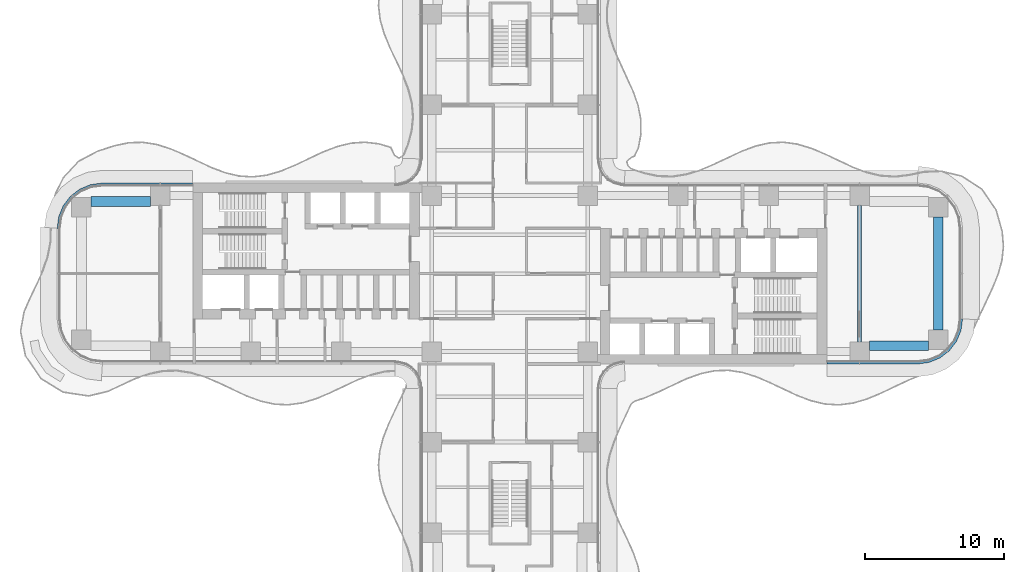
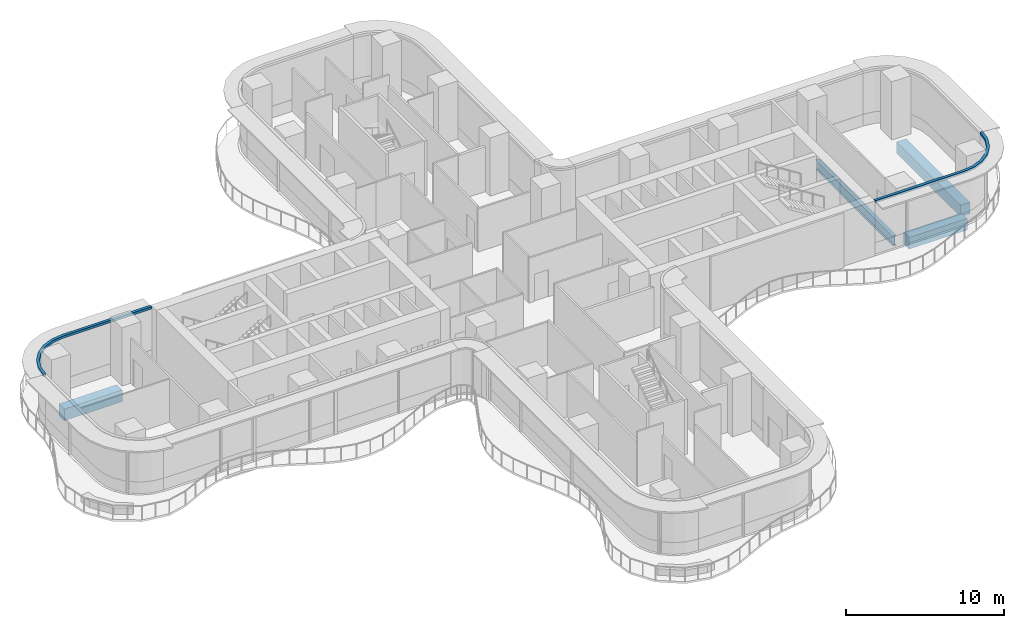
# One storey, part 7 of 23: 4 beams, 2 members, 2 elements without a shape of their own.
"""IFC4 building model written with IfcOpenShell, lengths in metres."""

from ifc_helpers import new_model, si_unit, direction, frame, origin, origin_2d, place, context, subcontext, project, spatial, polyline, rectangle, i_section, outline, extrude, source, transform, mapped, material, layer, layer_set, material_profile, profile_set, type_object, element, aggregate, save


model = new_model("IFC4")

# Units and contexts
model_context = context("Model", 3, precision=1e-05, world=origin(), true_north=direction((0.0, 1.0)))
body_context = subcontext(model_context, "Body", "Model", "MODEL_VIEW")
ifc_project = project(units=[si_unit("LENGTHUNIT", "METRE"), si_unit("AREAUNIT", "SQUARE_METRE"), si_unit("VOLUMEUNIT", "CUBIC_METRE"), si_unit("PLANEANGLEUNIT", "RADIAN"), si_unit("MASSUNIT", "GRAM", prefix="KILO")], contexts=[model_context])

# Site, building, storey
site_placement = place(None, origin())
site = spatial("IfcSite", under=ifc_project, at=site_placement, CompositionType="ELEMENT")
building_placement = place(site_placement, origin())
building = spatial("IfcBuilding", under=site, at=building_placement, Name="Trellis Farm Tower", CompositionType="ELEMENT")
storey_placement = place(building_placement, frame((0.0, 0.0, 74.5)))
storey = spatial("IfcBuildingStorey", under=building, at=storey_placement, Name="L15", CompositionType="ELEMENT", Elevation=74.5)

# Beams
ifc_material_1 = material(Name="Steel S355", Category="steel")
ifc_material_profile_1 = material_profile(ifc_material_1, i_section(OverallWidth=0.2666015625, OverallDepth=0.76220703125, WebThickness=0.014404296875, FlangeThickness=0.021484375, FilletRadius=0.0166015625, at=origin_2d()), Name="UB 762x267x173")
ifc_profile_set_1 = profile_set([ifc_material_profile_1], Name="Steel S355")
beam_type_1 = type_object("IfcBeamType", Name="UB 762x267x173", PredefinedType="BEAM", material=ifc_profile_set_1)
shared_shape_1 = source(origin(), body_context, "Body", "SweptSolid", [
    extrude(i_section(OverallWidth=0.2666015625, OverallDepth=0.76220703125, WebThickness=0.014404296875, FlangeThickness=0.021484375, FilletRadius=0.0166015625, at=origin_2d()), origin(), (0.0, 0.0, 1.0), 9.7998046875),
])
beam_1_placement = place(storey_placement, frame((25.10009765625, -4.89990234375, -0.631103515625), z_axis=(0.0, 1.0, 0.0), x_axis=(-1.0, 0.0, 0.0)))
element("IfcBeam", 1, at=beam_1_placement, inside=storey, type_object=beam_type_1, Name="Girder", PredefinedType="BEAM", context=body_context, shape_type="MappedRepresentation", body=[
    mapped(shared_shape_1, transform((0.0, 0.0, 0.0))),
])
ifc_material_2 = material(Name="Concrete C60/75", Category="concrete")
ifc_material_profile_2 = material_profile(ifc_material_2, rectangle(XDim=0.699951171875, YDim=0.89990234375, at=origin_2d()), Name="RC spandrel beam 700x900 C60/75")
ifc_profile_set_2 = profile_set([ifc_material_profile_2], Name="Concrete C60/75")
beam_type_2 = type_object("IfcBeamType", Name="RC spandrel beam 700x900 C60/75", PredefinedType="SPANDREL", material=ifc_profile_set_2)
shared_shape_2 = source(origin(), body_context, "Body", "SweptSolid", [
    extrude(rectangle(XDim=0.699951171875, YDim=0.89990234375, at=origin_2d()), origin(), (0.0, 0.0, 1.0), 4.25),
])
for number, where, z_axis, x_axis, name in (
    (2, (25.800048828125, -5.175048828125, -0.699951171875), (1.0, 0.0, 0.0), (0.0, 1.0, 0.0), "Girder"),
    (3, (-30.050048828125, 5.175048828125, -0.699951171875), (1.0, 0.0, 0.0), (0.0, 1.0, 0.0), "Girder"),
):
    element("IfcBeam", number, at=place(storey_placement, frame(where, z_axis=z_axis, x_axis=x_axis)), inside=storey, type_object=beam_type_2, Name=name, PredefinedType="SPANDREL", context=body_context, shape_type="MappedRepresentation", body=[
        mapped(shared_shape_2, transform((0.0, 0.0, 0.0))),
    ])
shared_shape_3 = source(origin(), body_context, "Body", "SweptSolid", [
    extrude(rectangle(XDim=0.699951171875, YDim=0.89990234375, at=origin_2d()), origin(), (0.0, 0.0, 1.0), 8.10009765625),
])
beam_2_placement = place(storey_placement, frame((30.75, -4.050048828125, -0.699951171875), z_axis=(0.0, 1.0, 0.0), x_axis=(-1.0, 0.0, 0.0)))
element("IfcBeam", 4, at=beam_2_placement, inside=storey, type_object=beam_type_2, Name="Girder", PredefinedType="SPANDREL", context=body_context, shape_type="MappedRepresentation", body=[
    mapped(shared_shape_3, transform((0.0, 0.0, 0.0))),
])

# Curtain wall, member
ifc_material_3 = material(Name="Aluminium and glass curtain wall", Category="aluminium")
ifc_layer_1 = layer(ifc_material_3, 0.18994140625)
ifc_layer_set_1 = layer_set([ifc_layer_1], Name="RIBBON CURTAIN WALL CW1")
curtain_wall_type = type_object("IfcCurtainWallType", Name="RIBBON CURTAIN WALL CW1", PredefinedType="NOTDEFINED", material=ifc_layer_set_1)
placement_1 = place(storey_placement, origin())
curtain_wall_1 = element("IfcCurtainWall", 5, at=placement_1, inside=storey, type_object=curtain_wall_type, Name="CW1 006", PredefinedType="NOTDEFINED")
ifc_material_4 = material(Name="Aluminium extrusion 6063-T6", Category="aluminium")
ifc_layer_2 = layer(ifc_material_4, 0.199951171875)
ifc_layer_set_2 = layer_set([ifc_layer_2], Name="Aluminium extrusion 6063-T6")
member_type = type_object("IfcMemberType", Name="CW1 TRANSOM 200x180", PredefinedType="USERDEFINED", material=ifc_layer_set_2)
shared_shape_4 = source(origin(), body_context, "Body", "SweptSolid", [
    extrude(outline(polyline([(22.780029296875, -6.5), (29.25, -6.5), (30.091064453125, -6.38916015625), (30.875, -6.064697265625), (31.548095703125, -5.548095703125), (32.064697265625, -4.875), (32.38916015625, -4.091064453125), (32.5, -3.25), (32.300048828125, -3.23681640625), (32.1943359375, -4.0390625), (31.889892578125, -4.774169921875), (31.405517578125, -5.405517578125), (30.774169921875, -5.889892578125), (30.0390625, -6.1943359375), (29.23681640625, -6.300048828125), (22.780029296875, -6.300048828125), (22.780029296875, -6.5)])), origin(), (0.0, 0.0, 1.0), 0.179931640625),
])
placement_2 = place(storey_placement, frame((0.0, 0.0, 4.070068359375)))
member_1 = element("IfcMember", 6, at=placement_2, type_object=member_type, Name="TR1 006", ObjectType="TRANSOM", PredefinedType="USERDEFINED", context=body_context, shape_type="MappedRepresentation", body=[
    mapped(shared_shape_4, transform((0.0, 0.0, 0.0))),
])
aggregate(curtain_wall_1, [member_1])

curtain_wall_2 = element("IfcCurtainWall", 7, at=placement_1, inside=storey, type_object=curtain_wall_type, Name="CW1 012", PredefinedType="NOTDEFINED")
shared_shape_5 = source(origin(), body_context, "Body", "SweptSolid", [
    extrude(outline(polyline([(-22.780029296875, 6.5), (-29.25, 6.5), (-30.091064453125, 6.38916015625), (-30.875, 6.064697265625), (-31.548095703125, 5.548095703125), (-32.064697265625, 4.875), (-32.38916015625, 4.091064453125), (-32.5, 3.25), (-32.300048828125, 3.23681640625), (-32.1943359375, 4.0390625), (-31.889892578125, 4.774169921875), (-31.405517578125, 5.405517578125), (-30.774169921875, 5.889892578125), (-30.0390625, 6.1943359375), (-29.23681640625, 6.300048828125), (-22.780029296875, 6.300048828125), (-22.780029296875, 6.5)])), origin(), (0.0, 0.0, 1.0), 0.179931640625),
])
member_2 = element("IfcMember", 8, at=placement_2, type_object=member_type, Name="TR1 012", ObjectType="TRANSOM", PredefinedType="USERDEFINED", context=body_context, shape_type="MappedRepresentation", body=[
    mapped(shared_shape_5, transform((0.0, 0.0, 0.0))),
])
aggregate(curtain_wall_2, [member_2])

save(model, "model.ifc")
